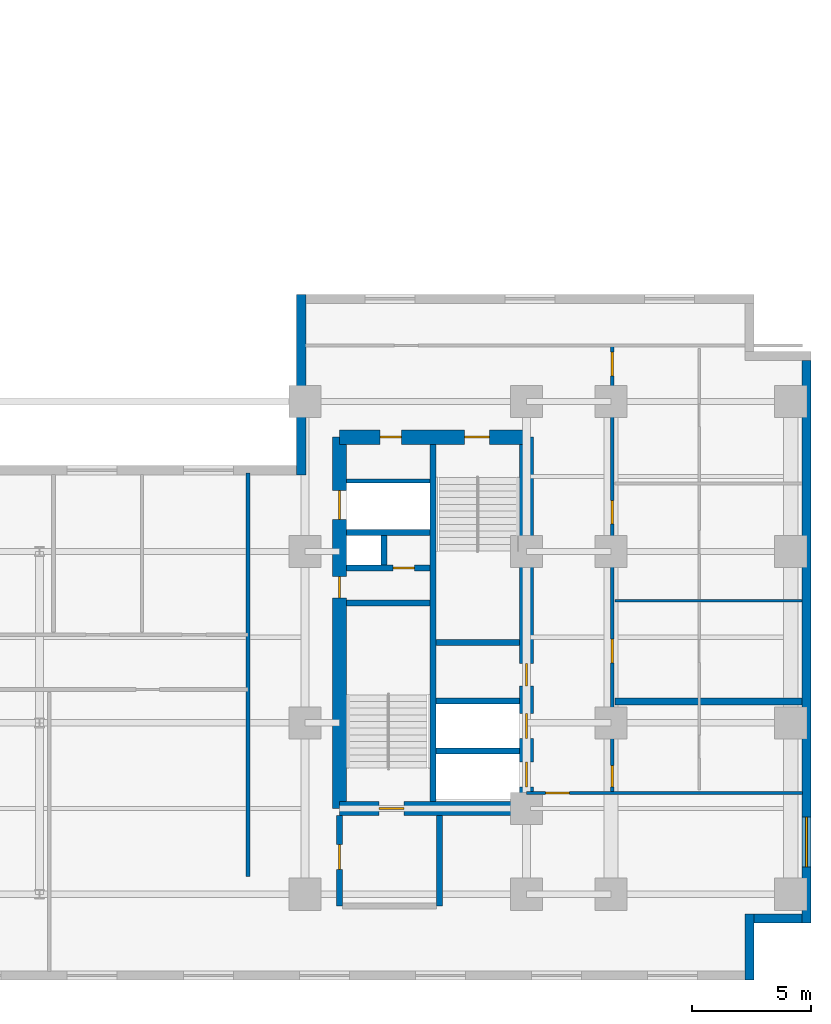
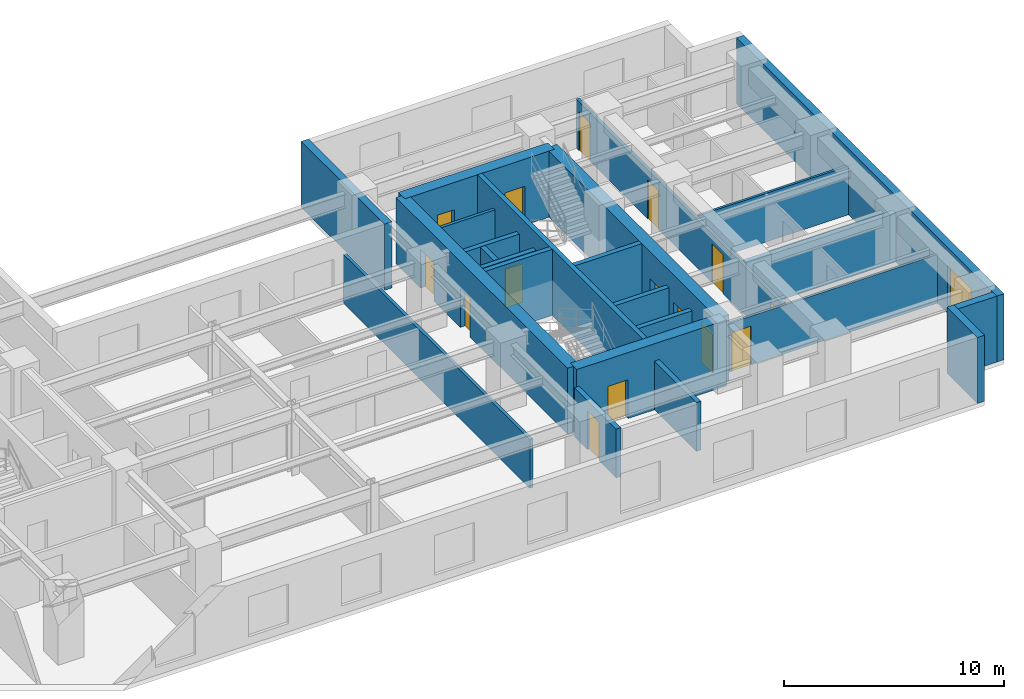
# One storey, part 5 of 10: 24 walls, 15 doors, 1 window, 16 openings.
"""IFC4 building model written with IfcOpenShell, lengths in metres."""

from ifc_helpers import new_model, entity, si_unit, converted_unit, direction, frame, origin_with_axes, origin_2d_with_axis, place, context, subcontext, project, spatial, polyline, rectangle, outline, extrude, material, layer, layer_set, type_object, element, fill, save


model = new_model("IFC4")

# Units and contexts
model_context = context("Model", 3, precision=1e-05, world=origin_with_axes(), true_north=direction((0.0, 1.0)))
body_context = subcontext(model_context, "Body", "Model", "MODEL_VIEW")
ifc_project = project(units=[si_unit("LENGTHUNIT", "METRE"), si_unit("AREAUNIT", "SQUARE_METRE"), si_unit("VOLUMEUNIT", "CUBIC_METRE"), converted_unit("PLANEANGLEUNIT", "DEGREE", entity("IfcPlaneAngleMeasure", 0.017453292519943295), si_unit("PLANEANGLEUNIT", "RADIAN"), dimensions=[0, 0, 0, 0, 0, 0, 0]), si_unit("MASSUNIT", "GRAM", prefix="KILO"), si_unit("THERMODYNAMICTEMPERATUREUNIT", "KELVIN")], contexts=[model_context])

# Site, building, storey
site_placement = place(None, origin_with_axes())
site = spatial("IfcSite", under=ifc_project, at=site_placement, CompositionType="ELEMENT")
building_placement = place(site_placement, origin_with_axes())
building = spatial("IfcBuilding", under=site, at=building_placement, Name="Varnlund Millrace Tower", CompositionType="ELEMENT")
storey_placement = place(building_placement, frame((0.0, 0.0, 44.4), z_axis=(0.0, 0.0, 1.0), x_axis=(1.0, 0.0, 0.0)))
storey = spatial("IfcBuildingStorey", under=building, at=storey_placement, Name="L10", CompositionType="ELEMENT", Elevation=44.4)

# Wall, openings, doors
ifc_material_1 = material(Name="Concrete C80/95", Category="concrete")
ifc_layer_1 = layer(ifc_material_1, 0.6, Name="Concrete C80/95")
ifc_layer_set_1 = layer_set([ifc_layer_1], Name="Concrete C80/95")
wall_type_1 = type_object("IfcWallType", Name="Type-CoreWall-Shear-600-C80", PredefinedType="SHEAR", material=ifc_layer_set_1)
wall_1_placement = place(storey_placement, frame((40.2, 7.2, 0.0), z_axis=(0.0, 0.0, 1.0), x_axis=(0.0, 1.0, 0.0)))
wall_1 = element("IfcWall", 1, at=wall_1_placement, inside=storey, type_object=wall_type_1, Name="Type-CoreWall-Shear-600-C80", PredefinedType="SHEAR", context=body_context, shape_type="SweptSolid", body=[
    extrude(outline(polyline([(0.0, -0.3), (15.6, -0.3), (15.6, 0.3), (0.0, 0.3), (0.0, -0.3)])), origin_with_axes(), (0.0, 0.0, 1.0), 3.66),
])
opening_1_placement = place(wall_1_placement, frame((12.75, 0.0, 0.0), z_axis=(0.0, 0.0, 1.0), x_axis=(1.0, 0.0, 0.0)))
opening_1 = element("IfcOpeningElement", 2, at=opening_1_placement, cuts=wall_1, Name="Opening L10:LD-SRV2", PredefinedType="OPENING", context=body_context, shape_type="SweptSolid", body=[
    extrude(rectangle(XDim=1.2, YDim=0.62, at=origin_2d_with_axis()), origin_with_axes(), (0.0, 0.0, 1.0), 2.15),
])
opening_2_placement = place(wall_1_placement, frame((9.3, 0.0, 0.0), z_axis=(0.0, 0.0, 1.0), x_axis=(1.0, 0.0, 0.0)))
opening_2 = element("IfcOpeningElement", 3, at=opening_2_placement, cuts=wall_1, Name="Opening L10:DR-CB-JAN", PredefinedType="OPENING", context=body_context, shape_type="SweptSolid", body=[
    extrude(rectangle(XDim=0.9, YDim=0.62, at=origin_2d_with_axis()), origin_with_axes(), (0.0, 0.0, 1.0), 2.15),
])
ifc_material_2 = material(Name="Fire-rated hollow steel service closet door", Category="steel")
door_type_1 = type_object("IfcDoorType", Name="Type-FireDoor-Closet-900X2150", OperationType="NOTDEFINED", PredefinedType="DOOR", material=ifc_material_2)
door_1_placement = place(wall_1_placement, frame((9.3, 0.0, 0.0), z_axis=(0.0, 0.0, 1.0), x_axis=(1.0, 0.0, 0.0)))
door_1 = element("IfcDoor", 4, at=door_1_placement, inside=storey, type_object=door_type_1, Name="Type-FireDoor-Closet-900X2150", OperationType="SINGLE_SWING_RIGHT", OverallHeight=2.15, OverallWidth=0.9, PredefinedType="DOOR", context=body_context, shape_type="SweptSolid", body=[
    extrude(rectangle(XDim=0.9, YDim=0.09, at=origin_2d_with_axis()), origin_with_axes(), (0.0, 0.0, 1.0), 2.15),
])
fill(opening_2, door_1)
ifc_material_3 = material(Name="Heavy-duty freight sliding landing door")
door_type_2 = type_object("IfcDoorType", Name="Type-LiftLandingDoor-Service-1200X2150", OperationType="NOTDEFINED", PredefinedType="DOOR", material=ifc_material_3)
door_2_placement = place(wall_1_placement, frame((12.75, 0.0, 0.0), z_axis=(0.0, 0.0, 1.0), x_axis=(1.0, 0.0, 0.0)))
door_2 = element("IfcDoor", 5, at=door_2_placement, inside=storey, type_object=door_type_2, Name="Type-LiftLandingDoor-Service-1200X2150", OperationType="DOUBLE_DOOR_SLIDING", OverallHeight=2.15, OverallWidth=1.2, PredefinedType="DOOR", context=body_context, shape_type="SweptSolid", body=[
    extrude(rectangle(XDim=1.2, YDim=0.09, at=origin_2d_with_axis()), origin_with_axes(), (0.0, 0.0, 1.0), 2.15),
])
fill(opening_1, door_2)

# Wall, opening, door
wall_2_placement = place(storey_placement, frame((40.2, 7.2, 0.0), z_axis=(0.0, 0.0, 1.0), x_axis=(1.0, 0.0, 0.0)))
wall_2 = element("IfcWall", 6, at=wall_2_placement, inside=storey, type_object=wall_type_1, Name="Type-CoreWall-Shear-600-C80", PredefinedType="SHEAR", context=body_context, shape_type="SweptSolid", body=[
    extrude(outline(polyline([(0.0, -0.3), (7.85, -0.3), (7.85, 0.3), (0.0, 0.3), (0.0, -0.3)])), origin_with_axes(), (0.0, 0.0, 1.0), 3.66),
])
opening_3_placement = place(wall_2_placement, frame((2.175, 0.0, 0.0), z_axis=(0.0, 0.0, 1.0), x_axis=(1.0, 0.0, 0.0)))
opening_3 = element("IfcOpeningElement", 7, at=opening_3_placement, cuts=wall_2, Name="Opening L10:DR-STB1", PredefinedType="OPENING", context=body_context, shape_type="SweptSolid", body=[
    extrude(rectangle(XDim=1.05, YDim=0.62, at=origin_2d_with_axis()), origin_with_axes(), (0.0, 0.0, 1.0), 2.15),
])
ifc_material_4 = material(Name="Fire-rated hollow steel door", Category="steel")
door_type_3 = type_object("IfcDoorType", Name="Type-FireDoor-Stair-1050X2150", OperationType="NOTDEFINED", PredefinedType="DOOR", material=ifc_material_4)
door_3_placement = place(wall_2_placement, frame((2.175, 0.0, 0.0), z_axis=(0.0, 0.0, 1.0), x_axis=(1.0, 0.0, 0.0)))
door_3 = element("IfcDoor", 8, at=door_3_placement, inside=storey, type_object=door_type_3, Name="Type-FireDoor-Stair-1050X2150", OperationType="SINGLE_SWING_LEFT", OverallHeight=2.15, OverallWidth=1.05, PredefinedType="DOOR", context=body_context, shape_type="SweptSolid", body=[
    extrude(rectangle(XDim=1.05, YDim=0.09, at=origin_2d_with_axis()), origin_with_axes(), (0.0, 0.0, 1.0), 2.15),
])
fill(opening_3, door_3)

# Wall, openings, doors
wall_3_placement = place(storey_placement, frame((40.2, 22.8, 0.0), z_axis=(0.0, 0.0, 1.0), x_axis=(1.0, 0.0, 0.0)))
wall_3 = element("IfcWall", 9, at=wall_3_placement, inside=storey, type_object=wall_type_1, Name="Type-CoreWall-Shear-600-C80", PredefinedType="SHEAR", context=body_context, shape_type="SweptSolid", body=[
    extrude(outline(polyline([(0.0, -0.3), (7.85, -0.3), (7.85, 0.3), (0.0, 0.3), (0.0, -0.3)])), origin_with_axes(), (0.0, 0.0, 1.0), 3.66),
])
opening_4_placement = place(wall_3_placement, frame((5.775, 0.0, 0.0), z_axis=(0.0, 0.0, 1.0), x_axis=(1.0, 0.0, 0.0)))
opening_4 = element("IfcOpeningElement", 10, at=opening_4_placement, cuts=wall_3, Name="Opening L10:DR-STB2", PredefinedType="OPENING", context=body_context, shape_type="SweptSolid", body=[
    extrude(rectangle(XDim=1.05, YDim=0.62, at=origin_2d_with_axis()), origin_with_axes(), (0.0, 0.0, 1.0), 2.15),
])
opening_5_placement = place(wall_3_placement, frame((2.15, 0.0, 0.0), z_axis=(0.0, 0.0, 1.0), x_axis=(1.0, 0.0, 0.0)))
opening_5 = element("IfcOpeningElement", 11, at=opening_5_placement, cuts=wall_3, Name="Opening L10:DR-CB-NW", PredefinedType="OPENING", context=body_context, shape_type="SweptSolid", body=[
    extrude(rectangle(XDim=0.9, YDim=0.62, at=origin_2d_with_axis()), origin_with_axes(), (0.0, 0.0, 1.0), 2.15),
])
door_4_placement = place(wall_3_placement, frame((2.15, 0.0, 0.0), z_axis=(0.0, 0.0, 1.0), x_axis=(1.0, 0.0, 0.0)))
door_4 = element("IfcDoor", 12, at=door_4_placement, inside=storey, type_object=door_type_1, Name="Type-FireDoor-Closet-900X2150", OperationType="SINGLE_SWING_LEFT", OverallHeight=2.15, OverallWidth=0.9, PredefinedType="DOOR", context=body_context, shape_type="SweptSolid", body=[
    extrude(rectangle(XDim=0.9, YDim=0.09, at=origin_2d_with_axis()), origin_with_axes(), (0.0, 0.0, 1.0), 2.15),
])
fill(opening_5, door_4)
door_5_placement = place(wall_3_placement, frame((5.775, 0.0, 0.0), z_axis=(0.0, 0.0, 1.0), x_axis=(1.0, 0.0, 0.0)))
door_5 = element("IfcDoor", 13, at=door_5_placement, inside=storey, type_object=door_type_3, Name="Type-FireDoor-Stair-1050X2150", OperationType="SINGLE_SWING_RIGHT", OverallHeight=2.15, OverallWidth=1.05, PredefinedType="DOOR", context=body_context, shape_type="SweptSolid", body=[
    extrude(rectangle(XDim=1.05, YDim=0.09, at=origin_2d_with_axis()), origin_with_axes(), (0.0, 0.0, 1.0), 2.15),
])
fill(opening_4, door_5)

wall_4_placement = place(storey_placement, frame((48.05, 7.2, 0.0), z_axis=(0.0, 0.0, 1.0), x_axis=(0.0, 1.0, 0.0)))
wall_4 = element("IfcWall", 14, at=wall_4_placement, inside=storey, type_object=wall_type_1, Name="Type-CoreWall-Shear-600-C80", PredefinedType="SHEAR", context=body_context, shape_type="SweptSolid", body=[
    extrude(outline(polyline([(0.0, -0.3), (15.6, -0.3), (15.6, 0.3), (0.0, 0.3), (0.0, -0.3)])), origin_with_axes(), (0.0, 0.0, 1.0), 3.66),
])
opening_6_placement = place(wall_4_placement, frame((1.425, 0.0, 0.0), z_axis=(0.0, 0.0, 1.0), x_axis=(1.0, 0.0, 0.0)))
opening_6 = element("IfcOpeningElement", 15, at=opening_6_placement, cuts=wall_4, Name="Opening L10:LD-ELV-L3", PredefinedType="OPENING", context=body_context, shape_type="SweptSolid", body=[
    extrude(rectangle(XDim=1.05, YDim=0.62, at=origin_2d_with_axis()), origin_with_axes(), (0.0, 0.0, 1.0), 2.15),
])
opening_7_placement = place(wall_4_placement, frame((3.475, 0.0, 0.0), z_axis=(0.0, 0.0, 1.0), x_axis=(1.0, 0.0, 0.0)))
opening_7 = element("IfcOpeningElement", 16, at=opening_7_placement, cuts=wall_4, Name="Opening L10:LD-ELV-L4", PredefinedType="OPENING", context=body_context, shape_type="SweptSolid", body=[
    extrude(rectangle(XDim=1.05, YDim=0.62, at=origin_2d_with_axis()), origin_with_axes(), (0.0, 0.0, 1.0), 2.15),
])
opening_8_placement = place(wall_4_placement, frame((5.625, 0.0, 0.0), z_axis=(0.0, 0.0, 1.0), x_axis=(1.0, 0.0, 0.0)))
opening_8 = element("IfcOpeningElement", 17, at=opening_8_placement, cuts=wall_4, Name="Opening L10:DR-CB-WC", PredefinedType="OPENING", context=body_context, shape_type="SweptSolid", body=[
    extrude(rectangle(XDim=0.95, YDim=0.62, at=origin_2d_with_axis()), origin_with_axes(), (0.0, 0.0, 1.0), 2.15),
])
ifc_material_5 = material(Name="Fire-rated hollow steel core service door", Category="steel")
door_type_4 = type_object("IfcDoorType", Name="Type-FireDoor-Service-950X2150", OperationType="NOTDEFINED", PredefinedType="DOOR", material=ifc_material_5)
door_6_placement = place(wall_4_placement, frame((5.625, 0.0, 0.0), z_axis=(0.0, 0.0, 1.0), x_axis=(1.0, 0.0, 0.0)))
door_6 = element("IfcDoor", 18, at=door_6_placement, inside=storey, type_object=door_type_4, Name="Type-FireDoor-Service-950X2150", OperationType="SINGLE_SWING_LEFT", OverallHeight=2.15, OverallWidth=0.95, PredefinedType="DOOR", context=body_context, shape_type="SweptSolid", body=[
    extrude(rectangle(XDim=0.95, YDim=0.09, at=origin_2d_with_axis()), origin_with_axes(), (0.0, 0.0, 1.0), 2.15),
])
fill(opening_8, door_6)
ifc_material_6 = material(Name="Architectural bronze sliding landing door")
door_type_5 = type_object("IfcDoorType", Name="Type-LiftLandingDoor-Compact-1050X2150", OperationType="NOTDEFINED", PredefinedType="DOOR", material=ifc_material_6)
door_7_placement = place(wall_4_placement, frame((1.425, 0.0, 0.0), z_axis=(0.0, 0.0, 1.0), x_axis=(1.0, 0.0, 0.0)))
door_7 = element("IfcDoor", 19, at=door_7_placement, inside=storey, type_object=door_type_5, Name="Type-LiftLandingDoor-Compact-1050X2150", OperationType="SLIDING_TO_LEFT", OverallHeight=2.15, OverallWidth=1.05, PredefinedType="DOOR", context=body_context, shape_type="SweptSolid", body=[
    extrude(rectangle(XDim=1.05, YDim=0.09, at=origin_2d_with_axis()), origin_with_axes(), (0.0, 0.0, 1.0), 2.15),
])
fill(opening_6, door_7)
door_8_placement = place(wall_4_placement, frame((3.475, 0.0, 0.0), z_axis=(0.0, 0.0, 1.0), x_axis=(1.0, 0.0, 0.0)))
door_8 = element("IfcDoor", 20, at=door_8_placement, inside=storey, type_object=door_type_5, Name="Type-LiftLandingDoor-Compact-1050X2150", OperationType="SLIDING_TO_RIGHT", OverallHeight=2.15, OverallWidth=1.05, PredefinedType="DOOR", context=body_context, shape_type="SweptSolid", body=[
    extrude(rectangle(XDim=1.05, YDim=0.09, at=origin_2d_with_axis()), origin_with_axes(), (0.0, 0.0, 1.0), 2.15),
])
fill(opening_7, door_8)

# Wall
ifc_material_7 = material(Name="Precast concrete C50/60", Category="concrete")
ifc_layer_2 = layer(ifc_material_7, 0.38, Name="Precast concrete C50/60")
ifc_layer_set_2 = layer_set([ifc_layer_2], Name="Precast concrete C50/60")
wall_type_2 = type_object("IfcWallType", Name="Type-ExtWall-Precast-Tube-380", PredefinedType="SOLIDWALL", material=ifc_layer_set_2)
wall_5_placement = place(storey_placement, frame((38.59, 21.22, 0.0), z_axis=(0.0, 0.0, 1.0), x_axis=(0.0, 1.0, 0.0)))
element("IfcWall", 21, at=wall_5_placement, inside=storey, type_object=wall_type_2, Name="Type-ExtWall-Precast-Tube-380", PredefinedType="SOLIDWALL", context=body_context, shape_type="SweptSolid", body=[
    extrude(outline(polyline([(0.0, -0.19), (7.58, -0.19), (7.58, 0.19), (0.0, 0.19), (0.0, -0.19)])), origin_with_axes(), (0.0, 0.0, 1.0), 3.66),
])

# Wall, opening, window
wall_6_placement = place(storey_placement, frame((59.81, 26.02, 0.0), z_axis=(0.0, 0.0, 1.0), x_axis=(0.0, -1.0, 0.0)))
wall_6 = element("IfcWall", 22, at=wall_6_placement, inside=storey, type_object=wall_type_2, Name="Type-ExtWall-Precast-Tube-380", PredefinedType="SOLIDWALL", context=body_context, shape_type="SweptSolid", body=[
    extrude(outline(polyline([(0.0, -0.19), (23.62, -0.19), (23.62, 0.19), (0.0, 0.19), (0.0, -0.19)])), origin_with_axes(), (0.0, 0.0, 1.0), 3.66),
])
opening_9_placement = place(wall_6_placement, frame((20.218, 0.0, 0.45), z_axis=(0.0, 0.0, 1.0), x_axis=(1.0, 0.0, 0.0)))
opening_9 = element("IfcOpeningElement", 23, at=opening_9_placement, cuts=wall_6, Name="Opening L10:WN-04", PredefinedType="OPENING", context=body_context, shape_type="SweptSolid", body=[
    extrude(rectangle(XDim=2.1, YDim=0.4, at=origin_2d_with_axis()), origin_with_axes(), (0.0, 0.0, 1.0), 2.2),
])
ifc_material_8 = material(Name="Argon low-e triple glazing in thermally broken bronze frame", Category="glass")
window_type = type_object("IfcWindowType", Name="Type-Window-Punched-2100X2200", PartitioningType="SINGLE_PANEL", PredefinedType="WINDOW", material=ifc_material_8)
window_placement = place(wall_6_placement, frame((20.218, 0.0, 0.45), z_axis=(0.0, 0.0, 1.0), x_axis=(1.0, 0.0, 0.0)))
window = element("IfcWindow", 24, at=window_placement, inside=storey, type_object=window_type, Name="Type-Window-Punched-2100X2200", OverallHeight=2.2, OverallWidth=2.1, PredefinedType="WINDOW", context=body_context, shape_type="SweptSolid", body=[
    extrude(rectangle(XDim=2.1, YDim=0.09, at=origin_2d_with_axis()), origin_with_axes(), (0.0, 0.0, 1.0), 2.2),
])
fill(opening_9, window)

# Walls
wall_7_placement = place(storey_placement, frame((59.62, 2.59, 0.0), z_axis=(0.0, 0.0, 1.0), x_axis=(-1.0, 0.0, 0.0)))
element("IfcWall", 25, at=wall_7_placement, inside=storey, type_object=wall_type_2, Name="Type-ExtWall-Precast-Tube-380", PredefinedType="SOLIDWALL", context=body_context, shape_type="SweptSolid", body=[
    extrude(outline(polyline([(0.0, -0.19), (2.02, -0.19), (2.02, 0.19), (0.0, 0.19), (0.0, -0.19)])), origin_with_axes(), (0.0, 0.0, 1.0), 3.66),
])
wall_8_placement = place(storey_placement, frame((57.41, 2.78, 0.0), z_axis=(0.0, 0.0, 1.0), x_axis=(0.0, -1.0, 0.0)))
element("IfcWall", 26, at=wall_8_placement, inside=storey, type_object=wall_type_2, Name="Type-ExtWall-Precast-Tube-380", PredefinedType="SOLIDWALL", context=body_context, shape_type="SweptSolid", body=[
    extrude(outline(polyline([(0.0, -0.19), (2.78, -0.19), (2.78, 0.19), (0.0, 0.19), (0.0, -0.19)])), origin_with_axes(), (0.0, 0.0, 1.0), 3.66),
])
ifc_material_9 = material(Name="Double-stud STC-60 conference acoustic partition", Category="gypsum")
ifc_layer_3 = layer(ifc_material_9, 0.28, Name="Double-stud STC-60 conference acoustic partition")
ifc_layer_set_3 = layer_set([ifc_layer_3], Name="Double-stud STC-60 conference acoustic partition")
wall_type_3 = type_object("IfcWallType", Name="Type-Partition-Acoustic-280", PredefinedType="PARTITIONING", material=ifc_layer_set_3)
wall_9_placement = place(storey_placement, frame((51.77, 11.696, 0.0), z_axis=(0.0, 0.0, 1.0), x_axis=(1.0, 0.0, 0.0)))
element("IfcWall", 27, at=wall_9_placement, inside=storey, type_object=wall_type_3, Name="Type-Partition-Acoustic-280", PredefinedType="PARTITIONING", context=body_context, shape_type="SweptSolid", body=[
    extrude(outline(polyline([(0.0, -0.14), (7.855, -0.14), (7.855, 0.14), (0.0, 0.14), (0.0, -0.14)])), origin_with_axes(), (0.0, 0.0, 1.0), 2.7),
])
ifc_material_10 = material(Name="Fire-rated gypsum board on cold-formed steel framing", Category="steel")
ifc_layer_4 = layer(ifc_material_10, 0.16, Name="Fire-rated gypsum board on cold-formed steel framing")
ifc_layer_set_4 = layer_set([ifc_layer_4], Name="Fire-rated gypsum board on cold-formed steel framing")
wall_type_4 = type_object("IfcWallType", Name="Type-Partition-Corridor-160", PredefinedType="PARTITIONING", material=ifc_layer_set_4)
wall_10_placement = place(storey_placement, frame((40.5, 20.96, 0.0), z_axis=(0.0, 0.0, 1.0), x_axis=(1.0, 0.0, 0.0)))
element("IfcWall", 28, at=wall_10_placement, inside=storey, type_object=wall_type_4, Name="Type-Partition-Corridor-160", PredefinedType="PARTITIONING", context=body_context, shape_type="SweptSolid", body=[
    extrude(outline(polyline([(0.0, -0.08), (3.5, -0.08), (3.5, 0.08), (0.0, 0.08), (0.0, -0.08)])), origin_with_axes(), (0.0, 0.0, 1.0), 2.7),
])
wall_11_placement = place(storey_placement, frame((36.35, 4.35, 0.0), z_axis=(0.0, 0.0, 1.0), x_axis=(0.0, 1.0, 0.0)))
element("IfcWall", 29, at=wall_11_placement, inside=storey, type_object=wall_type_4, Name="Type-Partition-Corridor-160", PredefinedType="PARTITIONING", context=body_context, shape_type="SweptSolid", body=[
    extrude(outline(polyline([(0.0, -0.08), (16.95, -0.08), (16.95, 0.08), (0.0, 0.08), (0.0, -0.08)])), origin_with_axes(), (0.0, 0.0, 1.0), 2.7),
])

# Wall, openings, doors
wall_12_placement = place(storey_placement, frame((51.65, 7.85, 0.0), z_axis=(0.0, 0.0, 1.0), x_axis=(0.0, 1.0, 0.0)))
wall_12 = element("IfcWall", 30, at=wall_12_placement, inside=storey, type_object=wall_type_4, Name="Type-Partition-Corridor-160", PredefinedType="PARTITIONING", context=body_context, shape_type="SweptSolid", body=[
    extrude(outline(polyline([(0.0, -0.08), (18.8, -0.08), (18.8, 0.08), (0.0, 0.08), (0.0, -0.08)])), origin_with_axes(), (0.0, 0.0, 1.0), 2.7),
])
opening_10_placement = place(wall_12_placement, frame((0.703, 0.0, 0.0), z_axis=(0.0, 0.0, 1.0), x_axis=(1.0, 0.0, 0.0)))
opening_10 = element("IfcOpeningElement", 31, at=opening_10_placement, cuts=wall_12, Name="Opening L10:DR-WB-01", PredefinedType="OPENING", context=body_context, shape_type="SweptSolid", body=[
    extrude(rectangle(XDim=0.9, YDim=0.18, at=origin_2d_with_axis()), origin_with_axes(), (0.0, 0.0, 1.0), 2.15),
])
opening_11_placement = place(wall_12_placement, frame((5.962, 0.0, 0.0), z_axis=(0.0, 0.0, 1.0), x_axis=(1.0, 0.0, 0.0)))
opening_11 = element("IfcOpeningElement", 32, at=opening_11_placement, cuts=wall_12, Name="Opening L10:DR-WB-02", PredefinedType="OPENING", context=body_context, shape_type="SweptSolid", body=[
    extrude(rectangle(XDim=1.0, YDim=0.18, at=origin_2d_with_axis()), origin_with_axes(), (0.0, 0.0, 1.0), 2.15),
])
opening_12_placement = place(wall_12_placement, frame((11.795, 0.0, 0.0), z_axis=(0.0, 0.0, 1.0), x_axis=(1.0, 0.0, 0.0)))
opening_12 = element("IfcOpeningElement", 33, at=opening_12_placement, cuts=wall_12, Name="Opening L10:DR-WB-03", PredefinedType="OPENING", context=body_context, shape_type="SweptSolid", body=[
    extrude(rectangle(XDim=1.0, YDim=0.18, at=origin_2d_with_axis()), origin_with_axes(), (0.0, 0.0, 1.0), 2.15),
])
opening_13_placement = place(wall_12_placement, frame((18.026, 0.0, 0.0), z_axis=(0.0, 0.0, 1.0), x_axis=(1.0, 0.0, 0.0)))
opening_13 = element("IfcOpeningElement", 34, at=opening_13_placement, cuts=wall_12, Name="Opening L10:DR-WB-04", PredefinedType="OPENING", context=body_context, shape_type="SweptSolid", body=[
    extrude(rectangle(XDim=1.0, YDim=0.18, at=origin_2d_with_axis()), origin_with_axes(), (0.0, 0.0, 1.0), 2.15),
])
ifc_material_11 = material(Name="Painted steel riser and closet door", Category="steel")
door_type_6 = type_object("IfcDoorType", Name="Type-IntDoor-Closet-900X2150", OperationType="NOTDEFINED", PredefinedType="DOOR", material=ifc_material_11)
door_9_placement = place(wall_12_placement, frame((0.703, 0.0, 0.0), z_axis=(0.0, 0.0, 1.0), x_axis=(1.0, 0.0, 0.0)))
door_9 = element("IfcDoor", 35, at=door_9_placement, inside=storey, type_object=door_type_6, Name="Type-IntDoor-Closet-900X2150", OperationType="SINGLE_SWING_LEFT", OverallHeight=2.15, OverallWidth=0.9, PredefinedType="DOOR", context=body_context, shape_type="SweptSolid", body=[
    extrude(rectangle(XDim=0.9, YDim=0.09, at=origin_2d_with_axis()), origin_with_axes(), (0.0, 0.0, 1.0), 2.15),
])
fill(opening_10, door_9)
ifc_material_12 = material(Name="Solid-core white oak and bronze frame door")
door_type_7 = type_object("IfcDoorType", Name="Type-IntDoor-Office-1000X2150", OperationType="NOTDEFINED", PredefinedType="DOOR", material=ifc_material_12)
door_10_placement = place(wall_12_placement, frame((5.962, 0.0, 0.0), z_axis=(0.0, 0.0, 1.0), x_axis=(1.0, 0.0, 0.0)))
door_10 = element("IfcDoor", 36, at=door_10_placement, inside=storey, type_object=door_type_7, Name="Type-IntDoor-Office-1000X2150", OperationType="SINGLE_SWING_RIGHT", OverallHeight=2.15, OverallWidth=1.0, PredefinedType="DOOR", context=body_context, shape_type="SweptSolid", body=[
    extrude(rectangle(XDim=1.0, YDim=0.09, at=origin_2d_with_axis()), origin_with_axes(), (0.0, 0.0, 1.0), 2.15),
])
fill(opening_11, door_10)
door_11_placement = place(wall_12_placement, frame((11.795, 0.0, 0.0), z_axis=(0.0, 0.0, 1.0), x_axis=(1.0, 0.0, 0.0)))
door_11 = element("IfcDoor", 37, at=door_11_placement, inside=storey, type_object=door_type_7, Name="Type-IntDoor-Office-1000X2150", OperationType="SINGLE_SWING_LEFT", OverallHeight=2.15, OverallWidth=1.0, PredefinedType="DOOR", context=body_context, shape_type="SweptSolid", body=[
    extrude(rectangle(XDim=1.0, YDim=0.09, at=origin_2d_with_axis()), origin_with_axes(), (0.0, 0.0, 1.0), 2.15),
])
fill(opening_12, door_11)
door_12_placement = place(wall_12_placement, frame((18.026, 0.0, 0.0), z_axis=(0.0, 0.0, 1.0), x_axis=(1.0, 0.0, 0.0)))
door_12 = element("IfcDoor", 38, at=door_12_placement, inside=storey, type_object=door_type_7, Name="Type-IntDoor-Office-1000X2150", OperationType="SINGLE_SWING_RIGHT", OverallHeight=2.15, OverallWidth=1.0, PredefinedType="DOOR", context=body_context, shape_type="SweptSolid", body=[
    extrude(rectangle(XDim=1.0, YDim=0.09, at=origin_2d_with_axis()), origin_with_axes(), (0.0, 0.0, 1.0), 2.15),
])
fill(opening_13, door_12)

# Wall, opening, door
ifc_material_13 = material(Name="Gypsum board tenant partition", Category="gypsum")
ifc_layer_5 = layer(ifc_material_13, 0.125, Name="Gypsum board tenant partition")
ifc_layer_set_5 = layer_set([ifc_layer_5], Name="Gypsum board tenant partition")
wall_type_5 = type_object("IfcWallType", Name="Type-Partition-Tenant-125", PredefinedType="PARTITIONING", material=ifc_layer_set_5)
wall_13_placement = place(storey_placement, frame((59.64, 7.85, 0.0), z_axis=(0.0, 0.0, 1.0), x_axis=(-1.0, 0.0, 0.0)))
wall_13 = element("IfcWall", 39, at=wall_13_placement, inside=storey, type_object=wall_type_5, Name="Type-Partition-Tenant-125", PredefinedType="PARTITIONING", context=body_context, shape_type="SweptSolid", body=[
    extrude(outline(polyline([(0.0, -0.0625), (11.59, -0.0625), (11.59, 0.0625), (0.0, 0.0625), (0.0, -0.0625)])), origin_with_axes(), (0.0, 0.0, 1.0), 2.7),
])
opening_14_placement = place(wall_13_placement, frame((10.29, 0.0, 0.0), z_axis=(0.0, 0.0, 1.0), x_axis=(1.0, 0.0, 0.0)))
opening_14 = element("IfcOpeningElement", 40, at=opening_14_placement, cuts=wall_13, Name="Opening L10:DR-WBS-01", PredefinedType="OPENING", context=body_context, shape_type="SweptSolid", body=[
    extrude(rectangle(XDim=1.0, YDim=0.145, at=origin_2d_with_axis()), origin_with_axes(), (0.0, 0.0, 1.0), 2.15),
])
door_13_placement = place(wall_13_placement, frame((10.29, 0.0, 0.0), z_axis=(0.0, 0.0, 1.0), x_axis=(1.0, 0.0, 0.0)))
door_13 = element("IfcDoor", 41, at=door_13_placement, inside=storey, type_object=door_type_7, Name="Type-IntDoor-Office-1000X2150", OperationType="SINGLE_SWING_LEFT", OverallHeight=2.15, OverallWidth=1.0, PredefinedType="DOOR", context=body_context, shape_type="SweptSolid", body=[
    extrude(rectangle(XDim=1.0, YDim=0.075, at=origin_2d_with_axis()), origin_with_axes(), (0.0, 0.0, 1.0), 2.15),
])
fill(opening_14, door_13)

# Wall
wall_14_placement = place(storey_placement, frame((51.77, 15.928, 0.0), z_axis=(0.0, 0.0, 1.0), x_axis=(1.0, 0.0, 0.0)))
element("IfcWall", 42, at=wall_14_placement, inside=storey, type_object=wall_type_5, Name="Type-Partition-Tenant-125", PredefinedType="PARTITIONING", context=body_context, shape_type="SweptSolid", body=[
    extrude(outline(polyline([(0.0, -0.0625), (7.855, -0.0625), (7.855, 0.0625), (0.0, 0.0625), (0.0, -0.0625)])), origin_with_axes(), (0.0, 0.0, 1.0), 2.7),
])

# Wall, opening, door
ifc_material_14 = material(Name="Concrete C60/75", Category="concrete")
ifc_layer_6 = layer(ifc_material_14, 0.25, Name="Concrete C60/75")
ifc_layer_set_6 = layer_set([ifc_layer_6], Name="Concrete C60/75")
wall_type_6 = type_object("IfcWallType", Name="Type-ShaftWall-Fire-250", PredefinedType="SOLIDWALL", material=ifc_layer_set_6)
wall_15_placement = place(storey_placement, frame((40.5, 17.3, 0.0), z_axis=(0.0, 0.0, 1.0), x_axis=(1.0, 0.0, 0.0)))
wall_15 = element("IfcWall", 43, at=wall_15_placement, inside=storey, type_object=wall_type_6, Name="Type-ShaftWall-Fire-250", PredefinedType="SOLIDWALL", context=body_context, shape_type="SweptSolid", body=[
    extrude(outline(polyline([(0.0, -0.125), (3.5, -0.125), (3.5, 0.125), (0.0, 0.125), (0.0, -0.125)])), origin_with_axes(), (0.0, 0.0, 1.0), 2.7),
])
opening_15_placement = place(wall_15_placement, frame((2.4, 0.0, 0.0), z_axis=(0.0, 0.0, 1.0), x_axis=(1.0, 0.0, 0.0)))
opening_15 = element("IfcOpeningElement", 44, at=opening_15_placement, cuts=wall_15, Name="Opening L10:DR-CB-ELC", PredefinedType="OPENING", context=body_context, shape_type="SweptSolid", body=[
    extrude(rectangle(XDim=0.9, YDim=0.27, at=origin_2d_with_axis()), origin_with_axes(), (0.0, 0.0, 1.0), 2.15),
])
door_14_placement = place(wall_15_placement, frame((2.4, 0.0, 0.0), z_axis=(0.0, 0.0, 1.0), x_axis=(1.0, 0.0, 0.0)))
door_14 = element("IfcDoor", 45, at=door_14_placement, inside=storey, type_object=door_type_1, Name="Type-FireDoor-Closet-900X2150", OperationType="SINGLE_SWING_LEFT", OverallHeight=2.15, OverallWidth=0.9, PredefinedType="DOOR", context=body_context, shape_type="SweptSolid", body=[
    extrude(rectangle(XDim=0.9, YDim=0.09, at=origin_2d_with_axis()), origin_with_axes(), (0.0, 0.0, 1.0), 2.15),
])
fill(opening_15, door_14)

# Walls
wall_16_placement = place(storey_placement, frame((40.5, 18.8, 0.0), z_axis=(0.0, 0.0, 1.0), x_axis=(1.0, 0.0, 0.0)))
element("IfcWall", 46, at=wall_16_placement, inside=storey, type_object=wall_type_6, Name="Type-ShaftWall-Fire-250", PredefinedType="SOLIDWALL", context=body_context, shape_type="SweptSolid", body=[
    extrude(outline(polyline([(0.0, -0.125), (3.5, -0.125), (3.5, 0.125), (0.0, 0.125), (0.0, -0.125)])), origin_with_axes(), (0.0, 0.0, 1.0), 2.7),
])
wall_17_placement = place(storey_placement, frame((42.075, 17.43, 0.0), z_axis=(0.0, 0.0, 1.0), x_axis=(0.0, 1.0, 0.0)))
element("IfcWall", 47, at=wall_17_placement, inside=storey, type_object=wall_type_6, Name="Type-ShaftWall-Fire-250", PredefinedType="SOLIDWALL", context=body_context, shape_type="SweptSolid", body=[
    extrude(outline(polyline([(0.0, -0.125), (1.24, -0.125), (1.24, 0.125), (0.0, 0.125), (0.0, -0.125)])), origin_with_axes(), (0.0, 0.0, 1.0), 2.7),
])

# Wall, opening, door
wall_18_placement = place(storey_placement, frame((40.2, 3.1, 0.0), z_axis=(0.0, 0.0, 1.0), x_axis=(0.0, 1.0, 0.0)))
wall_18 = element("IfcWall", 48, at=wall_18_placement, inside=storey, type_object=wall_type_6, Name="Type-ShaftWall-Fire-250", PredefinedType="SOLIDWALL", context=body_context, shape_type="SweptSolid", body=[
    extrude(outline(polyline([(0.0, -0.125), (3.8, -0.125), (3.8, 0.125), (0.0, 0.125), (0.0, -0.125)])), origin_with_axes(), (0.0, 0.0, 1.0), 2.7),
])
opening_16_placement = place(wall_18_placement, frame((2.075, 0.0, 0.0), z_axis=(0.0, 0.0, 1.0), x_axis=(1.0, 0.0, 0.0)))
opening_16 = element("IfcOpeningElement", 49, at=opening_16_placement, cuts=wall_18, Name="Opening L10:DR-FFLOB-B", PredefinedType="OPENING", context=body_context, shape_type="SweptSolid", body=[
    extrude(rectangle(XDim=1.05, YDim=0.27, at=origin_2d_with_axis()), origin_with_axes(), (0.0, 0.0, 1.0), 2.15),
])
ifc_material_15 = material(Name="Smoke-barrier hollow steel fire door", Category="steel")
door_type_8 = type_object("IfcDoorType", Name="Type-FireDoor-Lobby-1050X2150", OperationType="NOTDEFINED", PredefinedType="DOOR", material=ifc_material_15)
door_15_placement = place(wall_18_placement, frame((2.075, 0.0, 0.0), z_axis=(0.0, 0.0, 1.0), x_axis=(1.0, 0.0, 0.0)))
door_15 = element("IfcDoor", 50, at=door_15_placement, inside=storey, type_object=door_type_8, Name="Type-FireDoor-Lobby-1050X2150", OperationType="SINGLE_SWING_LEFT", OverallHeight=2.15, OverallWidth=1.05, PredefinedType="DOOR", context=body_context, shape_type="SweptSolid", body=[
    extrude(rectangle(XDim=1.05, YDim=0.09, at=origin_2d_with_axis()), origin_with_axes(), (0.0, 0.0, 1.0), 2.15),
])
fill(opening_16, door_15)

# Walls
wall_19_placement = place(storey_placement, frame((44.4, 3.1, 0.0), z_axis=(0.0, 0.0, 1.0), x_axis=(0.0, 1.0, 0.0)))
element("IfcWall", 51, at=wall_19_placement, inside=storey, type_object=wall_type_6, Name="Type-ShaftWall-Fire-250", PredefinedType="SOLIDWALL", context=body_context, shape_type="SweptSolid", body=[
    extrude(outline(polyline([(0.0, -0.125), (3.8, -0.125), (3.8, 0.125), (0.0, 0.125), (0.0, -0.125)])), origin_with_axes(), (0.0, 0.0, 1.0), 2.7),
])
for number, where, z_axis, x_axis, name in (
    (52, (44.25, 9.62, 0.0), (0.0, 0.0, 1.0), (1.0, 0.0, 0.0), "Type-ShaftWall-Fire-250"),
    (53, (44.25, 11.72, 0.0), (0.0, 0.0, 1.0), (1.0, 0.0, 0.0), "Type-ShaftWall-Fire-250"),
):
    element("IfcWall", number, at=place(storey_placement, frame(where, z_axis=z_axis, x_axis=x_axis)), inside=storey, type_object=wall_type_6, Name=name, PredefinedType="SOLIDWALL", context=body_context, shape_type="SweptSolid", body=[
        extrude(outline(polyline([(0.0, -0.125), (3.5, -0.125), (3.5, 0.125), (0.0, 0.125), (0.0, -0.125)])), origin_with_axes(), (0.0, 0.0, 1.0), 2.7),
    ])
wall_type_7 = type_object("IfcWallType", Name="Type-StairWall-Shear-250", PredefinedType="SHEAR", material=ifc_layer_set_6)
wall_20_placement = place(storey_placement, frame((44.125, 7.5, 0.0), z_axis=(0.0, 0.0, 1.0), x_axis=(0.0, 1.0, 0.0)))
element("IfcWall", 54, at=wall_20_placement, inside=storey, type_object=wall_type_7, Name="Type-StairWall-Shear-250", PredefinedType="SHEAR", context=body_context, shape_type="SweptSolid", body=[
    extrude(outline(polyline([(0.0, -0.125), (15.0, -0.125), (15.0, 0.125), (0.0, 0.125), (0.0, -0.125)])), origin_with_axes(), (0.0, 0.0, 1.0), 3.66),
])
for number, where, z_axis, x_axis, name in (
    (55, (40.5, 15.825, 0.0), (0.0, 0.0, 1.0), (1.0, 0.0, 0.0), "Type-StairWall-Shear-250"),
    (56, (44.25, 14.175, 0.0), (0.0, 0.0, 1.0), (1.0, 0.0, 0.0), "Type-StairWall-Shear-250"),
):
    element("IfcWall", number, at=place(storey_placement, frame(where, z_axis=z_axis, x_axis=x_axis)), inside=storey, type_object=wall_type_7, Name=name, PredefinedType="SHEAR", context=body_context, shape_type="SweptSolid", body=[
        extrude(outline(polyline([(0.0, -0.125), (3.5, -0.125), (3.5, 0.125), (0.0, 0.125), (0.0, -0.125)])), origin_with_axes(), (0.0, 0.0, 1.0), 3.66),
    ])

save(model, "model.ifc")
